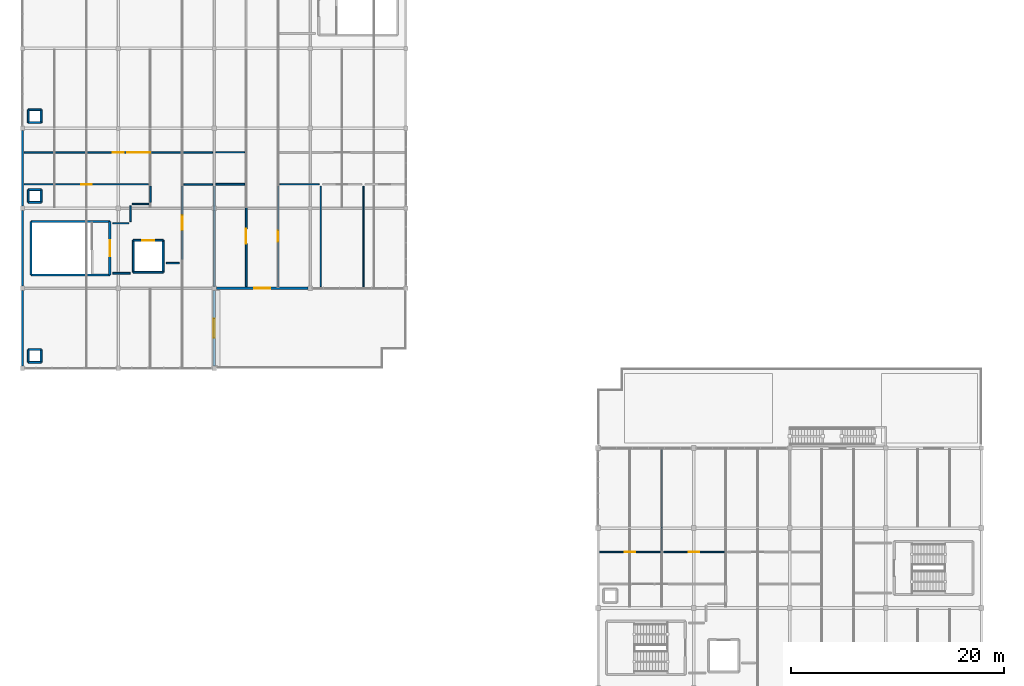
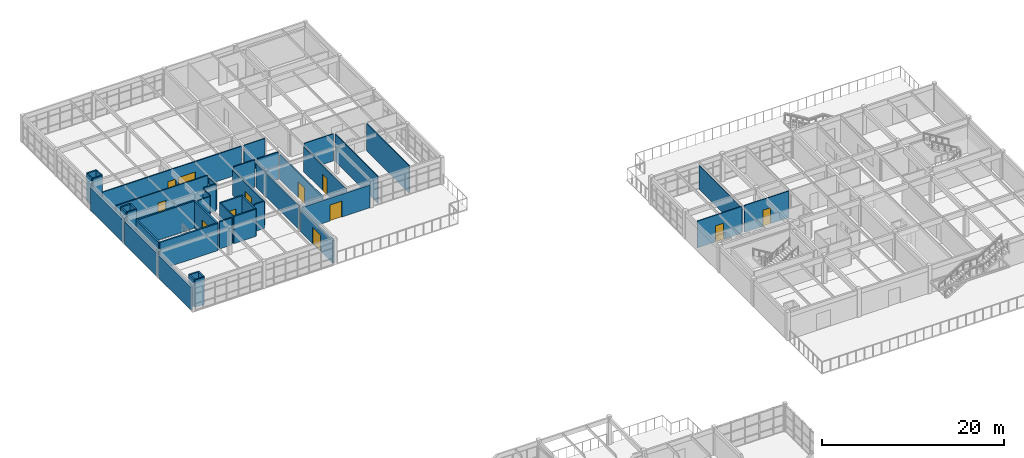
# One storey, part 39 of 45: 46 walls, 11 doors, 1 window, 12 openings.
"""IFC4 building model written with IfcOpenShell, lengths in metres."""

from ifc_helpers import new_model, si_unit, direction, frame, frame_2d, origin, place, context, subcontext, project, spatial, rectangle, extrude, material, layer, layer_set, type_object, element, fill, save


model = new_model("IFC4")

# Units and contexts
model_context = context("Model", 3, precision=1e-05, world=origin(), true_north=direction((0.0, 1.0)))
body_context = subcontext(model_context, "Body", "Model", "MODEL_VIEW")
ifc_project = project(units=[si_unit("LENGTHUNIT", "METRE"), si_unit("AREAUNIT", "SQUARE_METRE"), si_unit("VOLUMEUNIT", "CUBIC_METRE"), si_unit("PLANEANGLEUNIT", "RADIAN"), si_unit("MASSUNIT", "GRAM", prefix="KILO")], contexts=[model_context])

# Site, building, storey
site_placement = place(None, origin())
site = spatial("IfcSite", under=ifc_project, at=site_placement, CompositionType="ELEMENT")
building_placement = place(site_placement, origin())
building = spatial("IfcBuilding", under=site, at=building_placement, Name="Marnridge Secondary College", CompositionType="ELEMENT")
storey_placement = place(building_placement, frame((0.0, 0.0, 12.300048828125)))
storey = spatial("IfcBuildingStorey", under=building, at=storey_placement, Name="L03", CompositionType="ELEMENT", Elevation=12.300048828125)

# Wall
ifc_material_1 = material(Name="Concrete C40/50 (AS 3600 N40, 40 MPa)", Category="concrete")
ifc_layer_1 = layer(ifc_material_1, 0.199951171875)
ifc_layer_set_1 = layer_set([ifc_layer_1], Name="WT-CORE-RC200")
wall_type_1 = type_object("IfcWallType", Name="WT-CORE-RC200", PredefinedType="SHEAR", material=ifc_layer_set_1)
wall_1_placement = place(storey_placement, frame((0.800048828125, 91.25, 0.0), z_axis=(0.0, 0.0, 1.0), x_axis=(1.0, 0.0, 0.0)))
element("IfcWall", 1, at=wall_1_placement, inside=storey, type_object=wall_type_1, Name="Stair core shear wall WC-L03-0349", PredefinedType="SHEAR", context=body_context, shape_type="SweptSolid", body=[
    extrude(rectangle(XDim=7.39990234375, YDim=0.199951171875, at=frame_2d((3.699951171875, 0.0))), origin(), (0.0, 0.0, 1.0), 3.64990234375),
])

# Wall, opening, door
wall_2_placement = place(storey_placement, frame((8.199951171875, 91.25, 0.0), z_axis=(0.0, 0.0, 1.0), x_axis=(0.0, 1.0, 0.0)))
wall_2 = element("IfcWall", 2, at=wall_2_placement, inside=storey, type_object=wall_type_1, Name="Stair core shear wall WC-L03-0350", PredefinedType="SHEAR", context=body_context, shape_type="SweptSolid", body=[
    extrude(rectangle(XDim=5.0, YDim=0.199951171875, at=frame_2d((2.5, 0.0))), origin(), (0.0, 0.0, 1.0), 3.64990234375),
])
opening_1_placement = place(wall_2_placement, frame((1.75, 0.0, 0.0)))
opening_1 = element("IfcOpeningElement", 3, at=opening_1_placement, cuts=wall_2, Name="Opening DC-L03-026", PredefinedType="OPENING", context=body_context, shape_type="SweptSolid", body=[
    extrude(rectangle(XDim=1.5, YDim=2.14990234375, at=frame_2d((0.75, 1.074951171875))), frame((0.0, 0.10986328125, 0.0), z_axis=(0.0, -1.0, 0.0), x_axis=(1.0, 0.0, 0.0)), (0.0, 0.0, 1.0), 0.219970703125),
])
ifc_material_2 = material(Name="Fire-rated solid-core timber doorset", Category="wood")
door_type_1 = type_object("IfcDoorType", Name="DT-CORE-FD150", OperationType="DOUBLE_DOOR_SINGLE_SWING", PredefinedType="DOOR", material=ifc_material_2)
door_1_placement = place(opening_1_placement, origin())
door_1 = element("IfcDoor", 4, at=door_1_placement, inside=storey, type_object=door_type_1, Name="Fire stair door DC-L03-026", OperationType="DOUBLE_DOOR_SINGLE_SWING", OverallHeight=2.14990234375, OverallWidth=1.5, PredefinedType="DOOR", context=body_context, shape_type="SweptSolid", body=[
    extrude(rectangle(XDim=1.5, YDim=2.14990234375, at=frame_2d((0.75, 1.074951171875))), frame((0.0, 0.02490234375, 0.0), z_axis=(0.0, -1.0, 0.0), x_axis=(1.0, 0.0, 0.0)), (0.0, 0.0, 1.0), 0.050048828125),
])
fill(opening_1, door_1)

# Walls
wall_3_placement = place(storey_placement, frame((8.199951171875, 96.25, 0.0), z_axis=(0.0, 0.0, 1.0), x_axis=(-1.0, 0.0, 0.0)))
element("IfcWall", 5, at=wall_3_placement, inside=storey, type_object=wall_type_1, Name="Stair core shear wall WC-L03-0351", PredefinedType="SHEAR", context=body_context, shape_type="SweptSolid", body=[
    extrude(rectangle(XDim=7.39990234375, YDim=0.199951171875, at=frame_2d((3.699951171875, 0.0))), origin(), (0.0, 0.0, 1.0), 3.64990234375),
])
wall_4_placement = place(storey_placement, frame((0.800048828125, 96.25, 0.0), z_axis=(0.0, 0.0, 1.0), x_axis=(0.0, -1.0, 0.0)))
element("IfcWall", 6, at=wall_4_placement, inside=storey, type_object=wall_type_1, Name="Stair core shear wall WC-L03-0352", PredefinedType="SHEAR", context=body_context, shape_type="SweptSolid", body=[
    extrude(rectangle(XDim=5.0, YDim=0.199951171875, at=frame_2d((2.5, 0.0))), origin(), (0.0, 0.0, 1.0), 3.64990234375),
])

# Wall, opening, door
ifc_material_3 = material(Name="Cross-laminated timber CL5", Category="wood")
ifc_layer_2 = layer(ifc_material_3, 0.215087890625)
ifc_layer_set_2 = layer_set([ifc_layer_2], Name="WT-EXT-CLT215")
wall_type_2 = type_object("IfcWallType", Name="WT-EXT-CLT215", PredefinedType="SOLIDWALL", material=ifc_layer_set_2)
wall_5_placement = place(storey_placement, frame((26.803955078125, 90.0, 0.0), z_axis=(0.0, 0.0, 1.0), x_axis=(-1.0, 0.0, 0.0)))
wall_5 = element("IfcWall", 7, at=wall_5_placement, inside=storey, type_object=wall_type_2, Name="Exterior wall WE-L03-0180", PredefinedType="SOLIDWALL", context=body_context, shape_type="SweptSolid", body=[
    extrude(rectangle(XDim=8.60791015625, YDim=0.215087890625, at=frame_2d((4.303955078125, 0.0))), origin(), (0.0, 0.0, 1.0), 3.056884765625),
])
opening_2_placement = place(wall_5_placement, frame((3.553955078125, 0.0, 0.0)))
opening_2 = element("IfcOpeningElement", 8, at=opening_2_placement, cuts=wall_5, Name="Opening DE-L03-036", PredefinedType="OPENING", context=body_context, shape_type="SweptSolid", body=[
    extrude(rectangle(XDim=1.5, YDim=2.14990234375, at=frame_2d((0.75, 1.074951171875))), frame((0.0, 0.117431640625, 0.0), z_axis=(0.0, -1.0, 0.0), x_axis=(1.0, 0.0, 0.0)), (0.0, 0.0, 1.0), 0.235107421875),
])
ifc_material_4 = material(Name="Thermally broken timber-aluminium terrace doorset", Category="wood")
door_type_2 = type_object("IfcDoorType", Name="DT-EXT-TER150", OperationType="DOUBLE_DOOR_SINGLE_SWING", PredefinedType="DOOR", material=ifc_material_4)
door_2_placement = place(opening_2_placement, origin())
door_2 = element("IfcDoor", 9, at=door_2_placement, inside=storey, type_object=door_type_2, Name="Play deck access door DE-L03-036", OperationType="DOUBLE_DOOR_SINGLE_SWING", OverallHeight=2.14990234375, OverallWidth=1.5, PredefinedType="DOOR", context=body_context, shape_type="SweptSolid", body=[
    extrude(rectangle(XDim=1.5, YDim=2.14990234375, at=frame_2d((0.75, 1.074951171875))), frame((0.0, 0.02490234375, 0.0), z_axis=(0.0, -1.0, 0.0), x_axis=(1.0, 0.0, 0.0)), (0.0, 0.0, 1.0), 0.050048828125),
])
fill(opening_2, door_2)

wall_6_placement = place(storey_placement, frame((18.0, 89.803955078125, 0.0), z_axis=(0.0, 0.0, 1.0), x_axis=(0.0, -1.0, 0.0)))
wall_6 = element("IfcWall", 10, at=wall_6_placement, inside=storey, type_object=wall_type_2, Name="Exterior wall WE-L03-0181", PredefinedType="SOLIDWALL", context=body_context, shape_type="SweptSolid", body=[
    extrude(rectangle(XDim=7.10791015625, YDim=0.215087890625, at=frame_2d((3.553955078125, 0.0))), origin(), (0.0, 0.0, 1.0), 3.056884765625),
])
opening_3_placement = place(wall_6_placement, frame((2.654052734375, 0.0, 0.0)))
opening_3 = element("IfcOpeningElement", 11, at=opening_3_placement, cuts=wall_6, Name="Opening DE-L03-037", PredefinedType="OPENING", context=body_context, shape_type="SweptSolid", body=[
    extrude(rectangle(XDim=1.800048828125, YDim=2.199951171875, at=frame_2d((0.89990234375, 1.10009765625))), frame((0.0, 0.117431640625, 0.0), z_axis=(0.0, -1.0, 0.0), x_axis=(1.0, 0.0, 0.0)), (0.0, 0.0, 1.0), 0.235107421875),
])
ifc_material_5 = material(Name="Thermally broken timber-aluminium terrace doorset", Category="wood")
door_type_3 = type_object("IfcDoorType", Name="DT-EXT-TER180", OperationType="DOUBLE_DOOR_SINGLE_SWING", PredefinedType="DOOR", material=ifc_material_5)
door_3_placement = place(opening_3_placement, origin())
door_3 = element("IfcDoor", 12, at=door_3_placement, inside=storey, type_object=door_type_3, Name="Play deck access door DE-L03-037", OperationType="DOUBLE_DOOR_SINGLE_SWING", OverallHeight=2.199951171875, OverallWidth=1.800048828125, PredefinedType="DOOR", context=body_context, shape_type="SweptSolid", body=[
    extrude(rectangle(XDim=1.800048828125, YDim=2.199951171875, at=frame_2d((0.89990234375, 1.10009765625))), frame((0.0, 0.02490234375, 0.0), z_axis=(0.0, -1.0, 0.0), x_axis=(1.0, 0.0, 0.0)), (0.0, 0.0, 1.0), 0.050048828125),
])
fill(opening_3, door_3)

# Walls
for number, where, z_axis, x_axis, name in (
    (13, (0.0, 82.696044921875, 0.0), (0.0, 0.0, 1.0), (0.0, 1.0, 0.0), "Exterior wall WE-L03-0182"),
    (14, (0.0, 90.196044921875, 0.0), (0.0, 0.0, 1.0), (0.0, 1.0, 0.0), "Exterior wall WE-L03-0183"),
    (15, (0.0, 97.696044921875, 0.0), (0.0, 0.0, 1.0), (0.0, 1.0, 0.0), "Exterior wall WE-L03-0184"),
):
    element("IfcWall", number, at=place(storey_placement, frame(where, z_axis=z_axis, x_axis=x_axis)), inside=storey, type_object=wall_type_2, Name=name, PredefinedType="SOLIDWALL", context=body_context, shape_type="SweptSolid", body=[
        extrude(rectangle(XDim=7.10791015625, YDim=0.215087890625, at=frame_2d((3.553955078125, 0.0))), origin(), (0.0, 0.0, 1.0), 3.056884765625),
    ])
ifc_material_6 = material(Name="Acoustic plasterboard partition Rw45", Category="gypsum")
ifc_layer_3 = layer(ifc_material_6, 0.1201171875)
ifc_layer_set_3 = layer_set([ifc_layer_3], Name="WT-PART-AC120")
wall_type_3 = type_object("IfcWallType", Name="WT-PART-AC120", PredefinedType="PARTITIONING", material=ifc_layer_set_3)
wall_7_placement = place(storey_placement, frame((8.5, 96.10009765625, 0.0), z_axis=(0.0, 0.0, 1.0), x_axis=(1.0, 0.0, 0.0)))
element("IfcWall", 16, at=wall_7_placement, inside=storey, type_object=wall_type_3, Name="Interior partition WP-L03-0359", PredefinedType="PARTITIONING", context=body_context, shape_type="SweptSolid", body=[
    extrude(rectangle(XDim=1.489990234375, YDim=0.1201171875, at=frame_2d((0.7451171875, 0.0))), origin(), (0.0, 0.0, 1.0), 3.64990234375),
])
wall_8_placement = place(storey_placement, frame((10.31005859375, 97.89990234375, 0.0), z_axis=(0.0, 0.0, 1.0), x_axis=(1.0, 0.0, 0.0)))
element("IfcWall", 17, at=wall_8_placement, inside=storey, type_object=wall_type_3, Name="Interior partition WP-L03-0361", PredefinedType="PARTITIONING", context=body_context, shape_type="SweptSolid", body=[
    extrude(rectangle(XDim=1.530029296875, YDim=0.1201171875, at=frame_2d((0.76513671875, 0.0))), origin(), (0.0, 0.0, 1.0), 3.64990234375),
])

# Wall, opening, door
wall_9_placement = place(storey_placement, frame((11.840087890625, 99.75, 0.0), z_axis=(0.0, 0.0, 1.0), x_axis=(-1.0, 0.0, 0.0)))
wall_9 = element("IfcWall", 18, at=wall_9_placement, inside=storey, type_object=wall_type_3, Name="Interior partition WP-L03-0363", PredefinedType="PARTITIONING", context=body_context, shape_type="SweptSolid", body=[
    extrude(rectangle(XDim=11.68017578125, YDim=0.1201171875, at=frame_2d((5.840087890625, 0.0))), origin(), (0.0, 0.0, 1.0), 3.64990234375),
])
opening_4_placement = place(wall_9_placement, frame((5.340087890625, 0.0, 0.0)))
opening_4 = element("IfcOpeningElement", 19, at=opening_4_placement, cuts=wall_9, Name="Opening DI-L03-0130", PredefinedType="OPENING", context=body_context, shape_type="SweptSolid", body=[
    extrude(rectangle(XDim=1.0, YDim=2.14990234375, at=frame_2d((0.5, 1.074951171875))), frame((0.0, 0.070068359375, 0.0), z_axis=(0.0, -1.0, 0.0), x_axis=(1.0, 0.0, 0.0)), (0.0, 0.0, 1.0), 0.14013671875),
])
ifc_material_7 = material(Name="Solid-core acoustic hoop-pine classroom doorset", Category="wood")
door_type_4 = type_object("IfcDoorType", Name="DT-CLS-100", OperationType="NOTDEFINED", PredefinedType="DOOR", material=ifc_material_7)
door_4_placement = place(opening_4_placement, origin())
door_4 = element("IfcDoor", 20, at=door_4_placement, inside=storey, type_object=door_type_4, Name="Interior door DI-L03-0130", OperationType="SINGLE_SWING_RIGHT", OverallHeight=2.14990234375, OverallWidth=1.0, PredefinedType="DOOR", context=body_context, shape_type="SweptSolid", body=[
    extrude(rectangle(XDim=1.0, YDim=2.14990234375, at=frame_2d((0.5, 1.074951171875))), frame((0.0, 0.02490234375, 0.0), z_axis=(0.0, -1.0, 0.0), x_axis=(1.0, 0.0, 0.0)), (0.0, 0.0, 1.0), 0.050048828125),
])
fill(opening_4, door_4)

# Walls
wall_10_placement = place(storey_placement, frame((18.159912109375, 102.75, 0.0), z_axis=(0.0, 0.0, 1.0), x_axis=(1.0, 0.0, 0.0)))
element("IfcWall", 21, at=wall_10_placement, inside=storey, type_object=wall_type_3, Name="Interior partition WP-L03-0365", PredefinedType="PARTITIONING", context=body_context, shape_type="SweptSolid", body=[
    extrude(rectangle(XDim=2.68017578125, YDim=0.1201171875, at=frame_2d((1.340087890625, 0.0))), origin(), (0.0, 0.0, 1.0), 3.64990234375),
])
ifc_material_8 = material(Name="Acoustic plasterboard partition Rw48", Category="gypsum")
ifc_layer_4 = layer(ifc_material_8, 0.135009765625)
ifc_layer_set_4 = layer_set([ifc_layer_4], Name="WT-PART-AC135")
wall_type_4 = type_object("IfcWallType", Name="WT-PART-AC135", PredefinedType="PARTITIONING", material=ifc_layer_set_4)
wall_11_placement = place(storey_placement, frame((10.14990234375, 96.260009765625, 0.0), z_axis=(0.0, 0.0, 1.0), x_axis=(0.0, 1.0, 0.0)))
element("IfcWall", 22, at=wall_11_placement, inside=storey, type_object=wall_type_4, Name="Interior partition WP-L03-0360", PredefinedType="PARTITIONING", context=body_context, shape_type="SweptSolid", body=[
    extrude(rectangle(XDim=1.47998046875, YDim=0.135009765625, at=frame_2d((0.739990234375, 0.0))), origin(), (0.0, 0.0, 1.0), 3.64990234375),
])
wall_12_placement = place(storey_placement, frame((12.0, 98.06005859375, 0.0), z_axis=(0.0, 0.0, 1.0), x_axis=(0.0, 1.0, 0.0)))
element("IfcWall", 23, at=wall_12_placement, inside=storey, type_object=wall_type_4, Name="Interior partition WP-L03-0362", PredefinedType="PARTITIONING", context=body_context, shape_type="SweptSolid", body=[
    extrude(rectangle(XDim=1.530029296875, YDim=0.135009765625, at=frame_2d((0.76513671875, 0.0))), origin(), (0.0, 0.0, 1.0), 3.342041015625),
])

# Wall, openings, door, window
wall_13_placement = place(storey_placement, frame((0.159912109375, 102.75, 0.0), z_axis=(0.0, 0.0, 1.0), x_axis=(1.0, 0.0, 0.0)))
wall_13 = element("IfcWall", 24, at=wall_13_placement, inside=storey, type_object=wall_type_4, Name="Interior partition WP-L03-0364", PredefinedType="PARTITIONING", context=body_context, shape_type="SweptSolid", body=[
    extrude(rectangle(XDim=17.68017578125, YDim=0.135009765625, at=frame_2d((8.840087890625, 0.0))), origin(), (0.0, 0.0, 1.0), 3.64990234375),
])
opening_5_placement = place(wall_13_placement, frame((8.340087890625, 0.0, 0.0)))
opening_5 = element("IfcOpeningElement", 25, at=opening_5_placement, cuts=wall_13, Name="Opening DI-L03-0131", PredefinedType="OPENING", context=body_context, shape_type="SweptSolid", body=[
    extrude(rectangle(XDim=1.0, YDim=2.14990234375, at=frame_2d((0.5, 1.074951171875))), frame((0.0, 0.077392578125, 0.0), z_axis=(0.0, -1.0, 0.0), x_axis=(1.0, 0.0, 0.0)), (0.0, 0.0, 1.0), 0.155029296875),
])
opening_6_placement = place(wall_13_placement, frame((9.68994140625, 0.0, 1.02001953125)))
opening_6 = element("IfcOpeningElement", 26, at=opening_6_placement, cuts=wall_13, Name="Opening WNI-L03-031", PredefinedType="OPENING", context=body_context, shape_type="SweptSolid", body=[
    extrude(rectangle(XDim=2.139892578125, YDim=1.219970703125, at=frame_2d((1.06982421875, 0.60986328125))), frame((0.0, 0.077392578125, 0.0), z_axis=(0.0, -1.0, 0.0), x_axis=(1.0, 0.0, 0.0)), (0.0, 0.0, 1.0), 0.155029296875),
])
door_5_placement = place(opening_5_placement, origin())
door_5 = element("IfcDoor", 27, at=door_5_placement, inside=storey, type_object=door_type_4, Name="Interior door DI-L03-0131", OperationType="SINGLE_SWING_LEFT", OverallHeight=2.14990234375, OverallWidth=1.0, PredefinedType="DOOR", context=body_context, shape_type="SweptSolid", body=[
    extrude(rectangle(XDim=1.0, YDim=2.14990234375, at=frame_2d((0.5, 1.074951171875))), frame((0.0, 0.02490234375, 0.0), z_axis=(0.0, -1.0, 0.0), x_axis=(1.0, 0.0, 0.0)), (0.0, 0.0, 1.0), 0.050048828125),
])
fill(opening_5, door_5)
ifc_material_9 = material(Name="Acoustic laminated interior vision glazing", Category="glass")
window_type = type_object("IfcWindowType", Name="WN-BL-VAR13", PartitioningType="DOUBLE_PANEL_VERTICAL", PredefinedType="WINDOW", material=ifc_material_9)
window_placement = place(opening_6_placement, origin())
window = element("IfcWindow", 28, at=window_placement, inside=storey, type_object=window_type, Name="Interior vision window WNI-L03-031", OverallHeight=1.219970703125, OverallWidth=2.139892578125, PartitioningType="DOUBLE_PANEL_VERTICAL", PredefinedType="WINDOW", context=body_context, shape_type="SweptSolid", body=[
    extrude(rectangle(XDim=2.139892578125, YDim=1.219970703125, at=frame_2d((1.06982421875, 0.60986328125))), frame((0.0, 0.030029296875, 0.0), z_axis=(0.0, -1.0, 0.0), x_axis=(1.0, 0.0, 0.0)), (0.0, 0.0, 1.0), 0.06005859375),
])
fill(opening_6, window)

# Walls
ifc_material_10 = material(Name="Acoustic plasterboard on steel Grade 350 framing Rw50", Category="steel")
ifc_layer_5 = layer(ifc_material_10, 0.14990234375)
ifc_layer_set_5 = layer_set([ifc_layer_5], Name="WT-PART-AC150")
wall_type_5 = type_object("IfcWallType", Name="WT-PART-AC150", PredefinedType="PARTITIONING", material=ifc_layer_set_5)
wall_14_placement = place(storey_placement, frame((17.840087890625, 99.75, 0.0), z_axis=(0.0, 0.0, 1.0), x_axis=(-1.0, 0.0, 0.0)))
element("IfcWall", 29, at=wall_14_placement, inside=storey, type_object=wall_type_5, Name="Interior partition WP-L03-0353", PredefinedType="PARTITIONING", context=body_context, shape_type="SweptSolid", body=[
    extrude(rectangle(XDim=2.68017578125, YDim=0.14990234375, at=frame_2d((1.340087890625, 0.0))), origin(), (0.0, 0.0, 1.0), 3.64990234375),
])
wall_15_placement = place(storey_placement, frame((14.739990234375, 92.35009765625, 0.0), z_axis=(0.0, 0.0, 1.0), x_axis=(-1.0, 0.0, 0.0)))
element("IfcWall", 30, at=wall_15_placement, inside=storey, type_object=wall_type_5, Name="Interior partition WP-L03-0355", PredefinedType="PARTITIONING", context=body_context, shape_type="SweptSolid", body=[
    extrude(rectangle(XDim=1.239990234375, YDim=0.14990234375, at=frame_2d((0.6201171875, 0.0))), origin(), (0.0, 0.0, 1.0), 3.64990234375),
])

# Wall, opening, door
wall_16_placement = place(storey_placement, frame((21.0, 90.159912109375, 0.0), z_axis=(0.0, 0.0, 1.0), x_axis=(0.0, 1.0, 0.0)))
wall_16 = element("IfcWall", 31, at=wall_16_placement, inside=storey, type_object=wall_type_5, Name="Interior partition WP-L03-0357", PredefinedType="PARTITIONING", context=body_context, shape_type="SweptSolid", body=[
    extrude(rectangle(XDim=9.43017578125, YDim=0.14990234375, at=frame_2d((4.715087890625, 0.0))), origin(), (0.0, 0.0, 1.0), 3.342041015625),
])
opening_7_placement = place(wall_16_placement, frame((4.014892578125, 0.0, 0.0)))
opening_7 = element("IfcOpeningElement", 32, at=opening_7_placement, cuts=wall_16, Name="Opening DI-L03-0129", PredefinedType="OPENING", context=body_context, shape_type="SweptSolid", body=[
    extrude(rectangle(XDim=1.39990234375, YDim=2.14990234375, at=frame_2d((0.699951171875, 1.074951171875))), frame((0.0, 0.0849609375, 0.0), z_axis=(0.0, -1.0, 0.0), x_axis=(1.0, 0.0, 0.0)), (0.0, 0.0, 1.0), 0.169921875),
])
ifc_material_11 = material(Name="Laboratory leaf-and-a-half vision-panel doorset", Category="wood")
door_type_5 = type_object("IfcDoorType", Name="DT-LAB-140", OperationType="DOUBLE_DOOR_SINGLE_SWING", PredefinedType="DOOR", material=ifc_material_11)
door_6_placement = place(opening_7_placement, origin())
door_6 = element("IfcDoor", 33, at=door_6_placement, inside=storey, type_object=door_type_5, Name="Interior door DI-L03-0129", OperationType="DOUBLE_DOOR_SINGLE_SWING", OverallHeight=2.14990234375, OverallWidth=1.39990234375, PredefinedType="DOOR", context=body_context, shape_type="SweptSolid", body=[
    extrude(rectangle(XDim=1.39990234375, YDim=2.14990234375, at=frame_2d((0.699951171875, 1.074951171875))), frame((0.0, 0.02490234375, 0.0), z_axis=(0.0, -1.0, 0.0), x_axis=(1.0, 0.0, 0.0)), (0.0, 0.0, 1.0), 0.050048828125),
])
fill(opening_7, door_6)

# Wall
wall_17_placement = place(storey_placement, frame((18.0, 90.159912109375, 0.0), z_axis=(0.0, 0.0, 1.0), x_axis=(0.0, 1.0, 0.0)))
element("IfcWall", 34, at=wall_17_placement, inside=storey, type_object=wall_type_5, Name="Interior partition WP-L03-0371", PredefinedType="PARTITIONING", context=body_context, shape_type="SweptSolid", body=[
    extrude(rectangle(XDim=9.43017578125, YDim=0.14990234375, at=frame_2d((4.715087890625, 0.0))), origin(), (0.0, 0.0, 1.0), 3.19189453125),
])

# Wall, opening, door
ifc_material_12 = material(Name="Acoustic plasterboard on twin steel Grade 350 framing Rw55", Category="steel")
ifc_layer_6 = layer(ifc_material_12, 0.1650390625)
ifc_layer_set_6 = layer_set([ifc_layer_6], Name="WT-PART-AC165")
wall_type_6 = type_object("IfcWallType", Name="WT-PART-AC165", PredefinedType="PARTITIONING", material=ifc_layer_set_6)
wall_18_placement = place(storey_placement, frame((15.0, 99.590087890625, 0.0), z_axis=(0.0, 0.0, 1.0), x_axis=(0.0, -1.0, 0.0)))
wall_18 = element("IfcWall", 35, at=wall_18_placement, inside=storey, type_object=wall_type_6, Name="Interior partition WP-L03-0354", PredefinedType="PARTITIONING", context=body_context, shape_type="SweptSolid", body=[
    extrude(rectangle(XDim=6.880126953125, YDim=0.1650390625, at=frame_2d((3.43994140625, 0.0))), origin(), (0.0, 0.0, 1.0), 3.342041015625),
])
opening_8_placement = place(wall_18_placement, frame((2.739990234375, 0.0, 0.0)))
opening_8 = element("IfcOpeningElement", 36, at=opening_8_placement, cuts=wall_18, Name="Opening DI-L03-0128", PredefinedType="OPENING", context=body_context, shape_type="SweptSolid", body=[
    extrude(rectangle(XDim=1.39990234375, YDim=2.14990234375, at=frame_2d((0.699951171875, 1.074951171875))), frame((0.0, 0.092529296875, 0.0), z_axis=(0.0, -1.0, 0.0), x_axis=(1.0, 0.0, 0.0)), (0.0, 0.0, 1.0), 0.18505859375),
])
door_7_placement = place(opening_8_placement, origin())
door_7 = element("IfcDoor", 37, at=door_7_placement, inside=storey, type_object=door_type_5, Name="Interior door DI-L03-0128", OperationType="DOUBLE_DOOR_SINGLE_SWING", OverallHeight=2.14990234375, OverallWidth=1.39990234375, PredefinedType="DOOR", context=body_context, shape_type="SweptSolid", body=[
    extrude(rectangle(XDim=1.39990234375, YDim=2.14990234375, at=frame_2d((0.699951171875, 1.074951171875))), frame((0.0, 0.02490234375, 0.0), z_axis=(0.0, -1.0, 0.0), x_axis=(1.0, 0.0, 0.0)), (0.0, 0.0, 1.0), 0.050048828125),
])
fill(opening_8, door_7)

# Walls
wall_19_placement = place(storey_placement, frame((10.10009765625, 91.39990234375, 0.0), z_axis=(0.0, 0.0, 1.0), x_axis=(-1.0, 0.0, 0.0)))
element("IfcWall", 38, at=wall_19_placement, inside=storey, type_object=wall_type_6, Name="Interior partition WP-L03-0356", PredefinedType="PARTITIONING", context=body_context, shape_type="SweptSolid", body=[
    extrude(rectangle(XDim=1.60009765625, YDim=0.1650390625, at=frame_2d((0.800048828125, 0.0))), origin(), (0.0, 0.0, 1.0), 3.64990234375),
])
wall_20_placement = place(storey_placement, frame((20.840087890625, 99.75, 0.0), z_axis=(0.0, 0.0, 1.0), x_axis=(-1.0, 0.0, 0.0)))
element("IfcWall", 39, at=wall_20_placement, inside=storey, type_object=wall_type_6, Name="Interior partition WP-L03-0358", PredefinedType="PARTITIONING", context=body_context, shape_type="SweptSolid", body=[
    extrude(rectangle(XDim=2.68017578125, YDim=0.1650390625, at=frame_2d((1.340087890625, 0.0))), origin(), (0.0, 0.0, 1.0), 3.64990234375),
])
ifc_material_13 = material(Name="Moisture-resistant plasterboard sanitary partition", Category="gypsum")
ifc_layer_7 = layer(ifc_material_13, 0.110107421875)
ifc_layer_set_7 = layer_set([ifc_layer_7], Name="WT-PART-WT110")
wall_type_7 = type_object("IfcWallType", Name="WT-PART-WT110", PredefinedType="PARTITIONING", material=ifc_layer_set_7)
wall_21_placement = place(storey_placement, frame((60.0, 65.409912109375, 0.0), z_axis=(0.0, 0.0, 1.0), x_axis=(0.0, 1.0, 0.0)))
element("IfcWall", 40, at=wall_21_placement, inside=storey, type_object=wall_type_7, Name="Interior partition WP-L03-0323", PredefinedType="PARTITIONING", context=body_context, shape_type="SweptSolid", body=[
    extrude(rectangle(XDim=9.43017578125, YDim=0.110107421875, at=frame_2d((4.715087890625, 0.0))), origin(), (0.0, 0.0, 1.0), 3.221923828125),
])

# Wall, opening, door
wall_22_placement = place(storey_placement, frame((54.159912109375, 65.25, 0.0), z_axis=(0.0, 0.0, 1.0), x_axis=(1.0, 0.0, 0.0)))
wall_22 = element("IfcWall", 41, at=wall_22_placement, inside=storey, type_object=wall_type_7, Name="Interior partition WP-L03-0324", PredefinedType="PARTITIONING", context=body_context, shape_type="SweptSolid", body=[
    extrude(rectangle(XDim=5.68017578125, YDim=0.110107421875, at=frame_2d((2.840087890625, 0.0))), origin(), (0.0, 0.0, 1.0), 3.58984375),
])
opening_9_placement = place(wall_22_placement, frame((2.340087890625, 0.0, 0.0)))
opening_9 = element("IfcOpeningElement", 42, at=opening_9_placement, cuts=wall_22, Name="Opening DI-L03-0116", PredefinedType="OPENING", context=body_context, shape_type="SweptSolid", body=[
    extrude(rectangle(XDim=1.0, YDim=2.14990234375, at=frame_2d((0.5, 1.074951171875))), frame((0.0, 0.06494140625, 0.0), z_axis=(0.0, -1.0, 0.0), x_axis=(1.0, 0.0, 0.0)), (0.0, 0.0, 1.0), 0.130126953125),
])
door_8_placement = place(opening_9_placement, origin())
door_8 = element("IfcDoor", 43, at=door_8_placement, inside=storey, type_object=door_type_4, Name="Interior door DI-L03-0116", OperationType="SINGLE_SWING_RIGHT", OverallHeight=2.14990234375, OverallWidth=1.0, PredefinedType="DOOR", context=body_context, shape_type="SweptSolid", body=[
    extrude(rectangle(XDim=1.0, YDim=2.14990234375, at=frame_2d((0.5, 1.074951171875))), frame((0.0, 0.02490234375, 0.0), z_axis=(0.0, -1.0, 0.0), x_axis=(1.0, 0.0, 0.0)), (0.0, 0.0, 1.0), 0.050048828125),
])
fill(opening_9, door_8)

wall_23_placement = place(storey_placement, frame((60.159912109375, 65.25, 0.0), z_axis=(0.0, 0.0, 1.0), x_axis=(1.0, 0.0, 0.0)))
wall_23 = element("IfcWall", 44, at=wall_23_placement, inside=storey, type_object=wall_type_7, Name="Interior partition WP-L03-0326", PredefinedType="PARTITIONING", context=body_context, shape_type="SweptSolid", body=[
    extrude(rectangle(XDim=5.68017578125, YDim=0.110107421875, at=frame_2d((2.840087890625, 0.0))), origin(), (0.0, 0.0, 1.0), 3.58984375),
])
opening_10_placement = place(wall_23_placement, frame((2.340087890625, 0.0, 0.0)))
opening_10 = element("IfcOpeningElement", 45, at=opening_10_placement, cuts=wall_23, Name="Opening DI-L03-0117", PredefinedType="OPENING", context=body_context, shape_type="SweptSolid", body=[
    extrude(rectangle(XDim=1.0, YDim=2.14990234375, at=frame_2d((0.5, 1.074951171875))), frame((0.0, 0.06494140625, 0.0), z_axis=(0.0, -1.0, 0.0), x_axis=(1.0, 0.0, 0.0)), (0.0, 0.0, 1.0), 0.130126953125),
])
door_9_placement = place(opening_10_placement, origin())
door_9 = element("IfcDoor", 46, at=door_9_placement, inside=storey, type_object=door_type_4, Name="Interior door DI-L03-0117", OperationType="SINGLE_SWING_LEFT", OverallHeight=2.14990234375, OverallWidth=1.0, PredefinedType="DOOR", context=body_context, shape_type="SweptSolid", body=[
    extrude(rectangle(XDim=1.0, YDim=2.14990234375, at=frame_2d((0.5, 1.074951171875))), frame((0.0, 0.02490234375, 0.0), z_axis=(0.0, -1.0, 0.0), x_axis=(1.0, 0.0, 0.0)), (0.0, 0.0, 1.0), 0.050048828125),
])
fill(opening_10, door_9)

# Wall
wall_24_placement = place(storey_placement, frame((28.0, 90.159912109375, 0.0), z_axis=(0.0, 0.0, 1.0), x_axis=(0.0, 1.0, 0.0)))
element("IfcWall", 47, at=wall_24_placement, inside=storey, type_object=wall_type_7, Name="Interior partition WP-L03-0347", PredefinedType="PARTITIONING", context=body_context, shape_type="SweptSolid", body=[
    extrude(rectangle(XDim=9.43017578125, YDim=0.110107421875, at=frame_2d((4.715087890625, 0.0))), origin(), (0.0, 0.0, 1.0), 3.64990234375),
])

# Wall, opening, door
wall_25_placement = place(storey_placement, frame((24.0, 99.590087890625, 0.0), z_axis=(0.0, 0.0, 1.0), x_axis=(0.0, -1.0, 0.0)))
wall_25 = element("IfcWall", 48, at=wall_25_placement, inside=storey, type_object=wall_type_7, Name="Interior partition WP-L03-0348", PredefinedType="PARTITIONING", context=body_context, shape_type="SweptSolid", body=[
    extrude(rectangle(XDim=9.43017578125, YDim=0.110107421875, at=frame_2d((4.715087890625, 0.0))), origin(), (0.0, 0.0, 1.0), 3.342041015625),
])
opening_11_placement = place(wall_25_placement, frame((4.215087890625, 0.0, 0.0)))
opening_11 = element("IfcOpeningElement", 49, at=opening_11_placement, cuts=wall_25, Name="Opening DI-L03-0125", PredefinedType="OPENING", context=body_context, shape_type="SweptSolid", body=[
    extrude(rectangle(XDim=1.0, YDim=2.14990234375, at=frame_2d((0.5, 1.074951171875))), frame((0.0, 0.06494140625, 0.0), z_axis=(0.0, -1.0, 0.0), x_axis=(1.0, 0.0, 0.0)), (0.0, 0.0, 1.0), 0.130126953125),
])
door_10_placement = place(opening_11_placement, origin())
door_10 = element("IfcDoor", 50, at=door_10_placement, inside=storey, type_object=door_type_4, Name="Interior door DI-L03-0125", OperationType="SINGLE_SWING_LEFT", OverallHeight=2.14990234375, OverallWidth=1.0, PredefinedType="DOOR", context=body_context, shape_type="SweptSolid", body=[
    extrude(rectangle(XDim=1.0, YDim=2.14990234375, at=frame_2d((0.5, 1.074951171875))), frame((0.0, 0.02490234375, 0.0), z_axis=(0.0, -1.0, 0.0), x_axis=(1.0, 0.0, 0.0)), (0.0, 0.0, 1.0), 0.050048828125),
])
fill(opening_11, door_10)

# Walls
wall_26_placement = place(storey_placement, frame((27.840087890625, 99.75, 0.0), z_axis=(0.0, 0.0, 1.0), x_axis=(-1.0, 0.0, 0.0)))
element("IfcWall", 51, at=wall_26_placement, inside=storey, type_object=wall_type_7, Name="Interior partition WP-L03-0349", PredefinedType="PARTITIONING", context=body_context, shape_type="SweptSolid", body=[
    extrude(rectangle(XDim=3.68017578125, YDim=0.110107421875, at=frame_2d((1.840087890625, 0.0))), origin(), (0.0, 0.0, 1.0), 3.64990234375),
])
wall_27_placement = place(storey_placement, frame((32.0, 90.159912109375, 0.0), z_axis=(0.0, 0.0, 1.0), x_axis=(0.0, 1.0, 0.0)))
element("IfcWall", 52, at=wall_27_placement, inside=storey, type_object=wall_type_7, Name="Interior partition WP-L03-0350", PredefinedType="PARTITIONING", context=body_context, shape_type="SweptSolid", body=[
    extrude(rectangle(XDim=9.43017578125, YDim=0.110107421875, at=frame_2d((4.715087890625, 0.0))), origin(), (0.0, 0.0, 1.0), 3.64990234375),
])
ifc_material_14 = material(Name="Concrete C40/50 (AS 3600 N40, 40 MPa)", Category="concrete")
ifc_layer_8 = layer(ifc_material_14, 0.179931640625)
ifc_layer_set_8 = layer_set([ifc_layer_8], Name="WT-SHAFT-RC180")
wall_type_8 = type_object("IfcWallType", Name="WT-SHAFT-RC180", PredefinedType="SHEAR", material=ifc_layer_set_8)
for number, where, z_axis, x_axis, name in (
    (53, (1.75, 83.050048828125, 0.0), (0.0, 0.0, 1.0), (-1.0, 0.0, 0.0), "Service riser shaft wall WR-L03-0193"),
    (54, (0.550048828125, 83.050048828125, 0.0), (0.0, 0.0, 1.0), (0.0, 1.0, 0.0), "Service riser shaft wall WR-L03-0194"),
    (55, (0.550048828125, 84.25, 0.0), (0.0, 0.0, 1.0), (1.0, 0.0, 0.0), "Service riser shaft wall WR-L03-0195"),
    (56, (1.75, 84.25, 0.0), (0.0, 0.0, 1.0), (0.0, -1.0, 0.0), "Service riser shaft wall WR-L03-0196"),
    (57, (1.75, 98.050048828125, 0.0), (0.0, 0.0, 1.0), (-1.0, 0.0, 0.0), "Service riser shaft wall WR-L03-0197"),
    (58, (0.550048828125, 98.050048828125, 0.0), (0.0, 0.0, 1.0), (0.0, 1.0, 0.0), "Service riser shaft wall WR-L03-0198"),
    (59, (0.550048828125, 99.25, 0.0), (0.0, 0.0, 1.0), (1.0, 0.0, 0.0), "Service riser shaft wall WR-L03-0199"),
    (60, (1.75, 99.25, 0.0), (0.0, 0.0, 1.0), (0.0, -1.0, 0.0), "Service riser shaft wall WR-L03-0200"),
    (61, (1.75, 105.550048828125, 0.0), (0.0, 0.0, 1.0), (-1.0, 0.0, 0.0), "Service riser shaft wall WR-L03-0201"),
    (62, (0.550048828125, 105.550048828125, 0.0), (0.0, 0.0, 1.0), (0.0, 1.0, 0.0), "Service riser shaft wall WR-L03-0202"),
    (63, (0.550048828125, 106.75, 0.0), (0.0, 0.0, 1.0), (1.0, 0.0, 0.0), "Service riser shaft wall WR-L03-0203"),
    (64, (1.75, 106.75, 0.0), (0.0, 0.0, 1.0), (0.0, -1.0, 0.0), "Service riser shaft wall WR-L03-0204"),
):
    element("IfcWall", number, at=place(storey_placement, frame(where, z_axis=z_axis, x_axis=x_axis)), inside=storey, type_object=wall_type_8, Name=name, PredefinedType="SHEAR", context=body_context, shape_type="SweptSolid", body=[
        extrude(rectangle(XDim=1.199951171875, YDim=0.179931640625, at=frame_2d((0.60009765625, 0.0))), origin(), (0.0, 0.0, 1.0), 3.64990234375),
    ])
wall_28_placement = place(storey_placement, frame((13.199951171875, 91.5, 0.0), z_axis=(0.0, 0.0, 1.0), x_axis=(-1.0, 0.0, 0.0)))
element("IfcWall", 65, at=wall_28_placement, inside=storey, type_object=wall_type_8, Name="Lift shaft wall WL-L03-0465", PredefinedType="SHEAR", context=body_context, shape_type="SweptSolid", body=[
    extrude(rectangle(XDim=2.800048828125, YDim=0.179931640625, at=frame_2d((1.39990234375, 0.0))), origin(), (0.0, 0.0, 1.0), 3.64990234375),
])
wall_29_placement = place(storey_placement, frame((10.39990234375, 91.5, 0.0), z_axis=(0.0, 0.0, 1.0), x_axis=(0.0, 1.0, 0.0)))
element("IfcWall", 66, at=wall_29_placement, inside=storey, type_object=wall_type_8, Name="Lift shaft wall WL-L03-0466", PredefinedType="SHEAR", context=body_context, shape_type="SweptSolid", body=[
    extrude(rectangle(XDim=3.0, YDim=0.179931640625, at=frame_2d((1.5, 0.0))), origin(), (0.0, 0.0, 1.0), 3.64990234375),
])

# Wall, opening, door
wall_30_placement = place(storey_placement, frame((10.39990234375, 94.5, 0.0), z_axis=(0.0, 0.0, 1.0), x_axis=(1.0, 0.0, 0.0)))
wall_30 = element("IfcWall", 67, at=wall_30_placement, inside=storey, type_object=wall_type_8, Name="Lift shaft wall WL-L03-0467", PredefinedType="SHEAR", context=body_context, shape_type="SweptSolid", body=[
    extrude(rectangle(XDim=2.800048828125, YDim=0.179931640625, at=frame_2d((1.39990234375, 0.0))), origin(), (0.0, 0.0, 1.0), 3.64990234375),
])
opening_12_placement = place(wall_30_placement, frame((0.85009765625, 0.0, 0.0)))
opening_12 = element("IfcOpeningElement", 68, at=opening_12_placement, cuts=wall_30, Name="Opening LD-LC-03-L03", PredefinedType="OPENING", context=body_context, shape_type="SweptSolid", body=[
    extrude(rectangle(XDim=1.10009765625, YDim=2.14990234375, at=frame_2d((0.550048828125, 1.074951171875))), frame((0.0, 0.099853515625, 0.0), z_axis=(0.0, -1.0, 0.0), x_axis=(1.0, 0.0, 0.0)), (0.0, 0.0, 1.0), 0.199951171875),
])
ifc_material_15 = material(Name="Stainless steel Grade 350 automatic sliding lift landing doorset", Category="steel")
door_type_6 = type_object("IfcDoorType", Name="DT-LIFT-LD110", OperationType="SLIDING_TO_LEFT", PredefinedType="DOOR", material=ifc_material_15)
door_11_placement = place(opening_12_placement, origin())
door_11 = element("IfcDoor", 69, at=door_11_placement, inside=storey, type_object=door_type_6, Name="Sliding lift landing door LD-LC-03-L03", OperationType="SLIDING_TO_LEFT", OverallHeight=2.14990234375, OverallWidth=1.10009765625, PredefinedType="DOOR", context=body_context, shape_type="SweptSolid", body=[
    extrude(rectangle(XDim=1.10009765625, YDim=2.14990234375, at=frame_2d((0.550048828125, 1.074951171875))), frame((0.0, 0.02490234375, 0.0), z_axis=(0.0, -1.0, 0.0), x_axis=(1.0, 0.0, 0.0)), (0.0, 0.0, 1.0), 0.050048828125),
])
fill(opening_12, door_11)

# Wall
wall_31_placement = place(storey_placement, frame((13.199951171875, 94.5, 0.0), z_axis=(0.0, 0.0, 1.0), x_axis=(0.0, -1.0, 0.0)))
element("IfcWall", 70, at=wall_31_placement, inside=storey, type_object=wall_type_8, Name="Lift shaft wall WL-L03-0468", PredefinedType="SHEAR", context=body_context, shape_type="SweptSolid", body=[
    extrude(rectangle(XDim=3.0, YDim=0.179931640625, at=frame_2d((1.5, 0.0))), origin(), (0.0, 0.0, 1.0), 3.64990234375),
])

save(model, "model.ifc")
